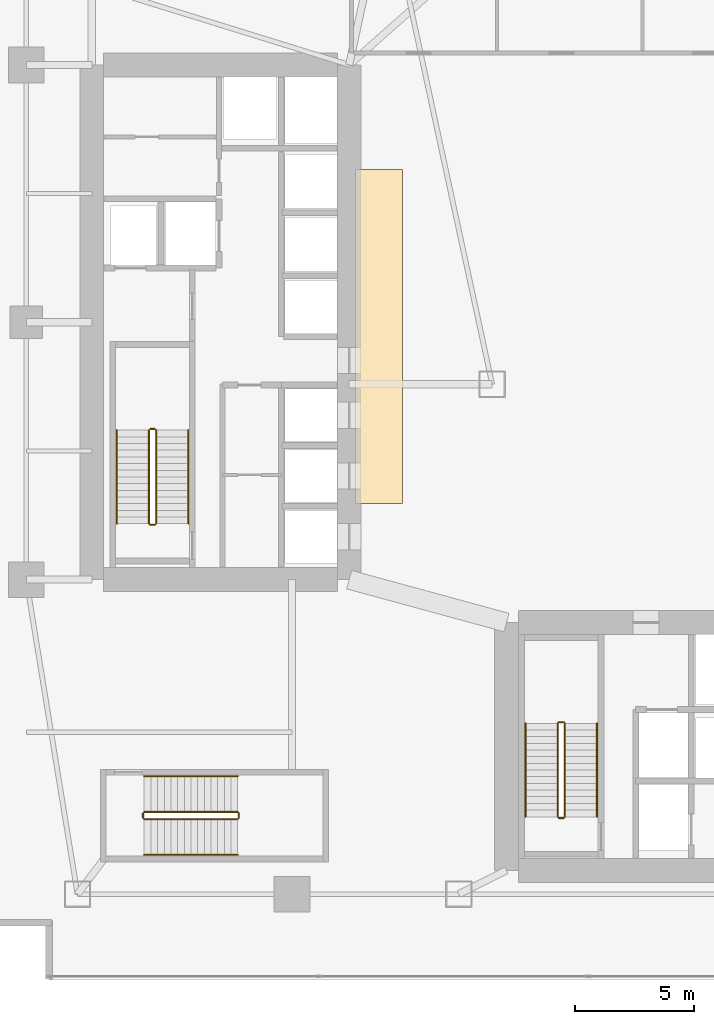
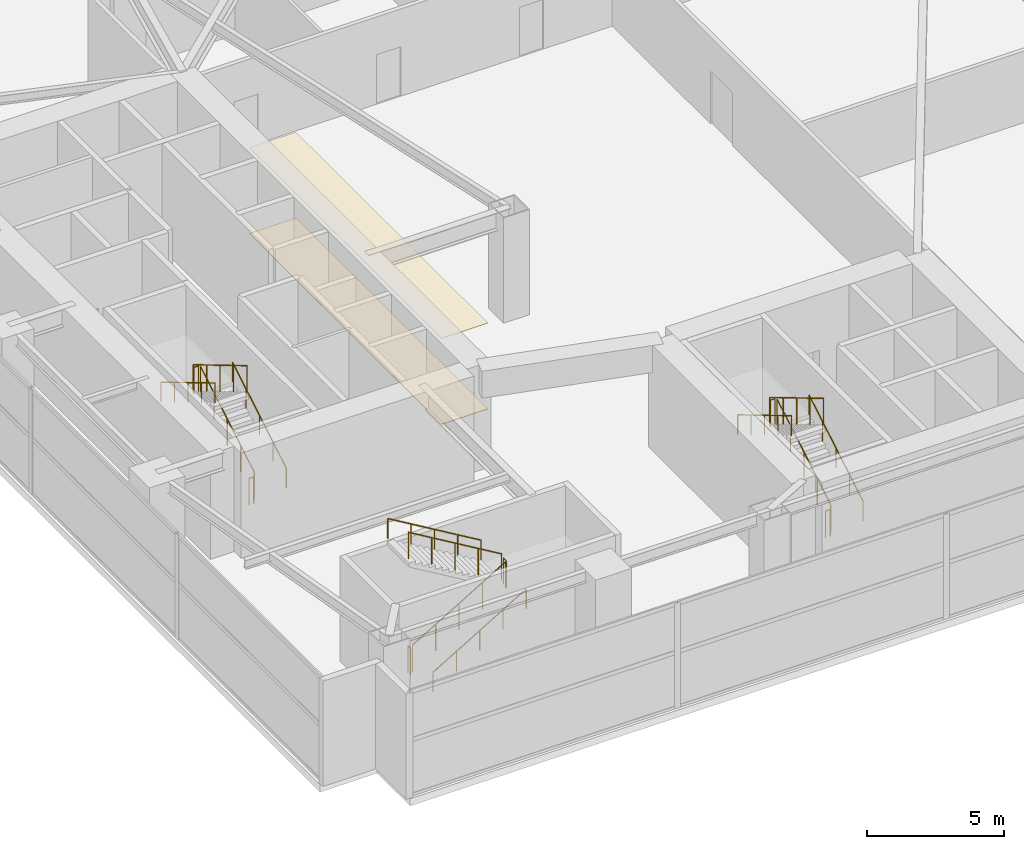
# One storey, part 34 of 35: 18 railings, 2 coverings.
"""IFC4 building model written with IfcOpenShell, lengths in metres."""

from ifc_helpers import new_model, si_unit, direction, frame, origin, origin_2d, place, context, subcontext, project, spatial, rectangle, circle, extrude, material, layer, layer_set, type_object, element, save


model = new_model("IFC4")

# Units and contexts
model_context = context("Model", 3, precision=1e-05, world=origin(), true_north=direction((0.0, 1.0)))
body_context = subcontext(model_context, "Body", "Model", "MODEL_VIEW")
ifc_project = project(units=[si_unit("LENGTHUNIT", "METRE"), si_unit("AREAUNIT", "SQUARE_METRE"), si_unit("VOLUMEUNIT", "CUBIC_METRE"), si_unit("PLANEANGLEUNIT", "RADIAN"), si_unit("MASSUNIT", "GRAM", prefix="KILO")], contexts=[model_context])

# Site, building, storey
site_placement = place(None, origin())
site = spatial("IfcSite", under=ifc_project, at=site_placement, CompositionType="ELEMENT")
building_placement = place(site_placement, origin())
building = spatial("IfcBuilding", under=site, at=building_placement, Name="Calvorn Quay Hotel", CompositionType="ELEMENT")
storey_placement = place(building_placement, frame((0.0, 0.0, 12.0)))
storey = spatial("IfcBuildingStorey", under=building, at=storey_placement, Name="L02", CompositionType="ELEMENT", Elevation=12.0)

# Coverings
ifc_material_1 = material(Name="Anodised Aluminium Acoustic Baffle", Category="aluminium")
ifc_layer_1 = layer(ifc_material_1, 0.02001953125)
ifc_layer_set_1 = layer_set([ifc_layer_1], Name="COV-CEIL-METAL")
covering_type_1 = type_object("IfcCoveringType", Name="COV-CEIL-METAL", PredefinedType="CEILING", material=ifc_layer_set_1)
covering_1_placement = place(storey_placement, frame((16.25, 27.0, 3.820068359375), z_axis=(0.0, 0.0, 1.0), x_axis=(1.0, 0.0, 0.0)))
element("IfcCovering", 1, at=covering_1_placement, inside=storey, type_object=covering_type_1, Name="Acoustic Suspended Ceiling (L02)", PredefinedType="CEILING", context=body_context, shape_type="SweptSolid", body=[
    extrude(rectangle(XDim=1.9599609375, YDim=14.0, at=origin_2d()), origin(), (0.0, 0.0, 1.0), 0.02001953125),
])
ifc_material_2 = material(Name="Honed Granite Stone Flooring", Category="masonry")
ifc_layer_2 = layer(ifc_material_2, 0.02392578125)
ifc_layer_set_2 = layer_set([ifc_layer_2], Name="COV-FLOOR-STONE")
covering_type_2 = type_object("IfcCoveringType", Name="COV-FLOOR-STONE", PredefinedType="FLOORING", material=ifc_layer_set_2)
covering_2_placement = place(storey_placement, frame((16.25, 27.0, 0.0), z_axis=(0.0, 0.0, 1.0), x_axis=(1.0, 0.0, 0.0)))
element("IfcCovering", 2, at=covering_2_placement, inside=storey, type_object=covering_type_2, Name="Interior Floor Finish (L02)", PredefinedType="FLOORING", context=body_context, shape_type="SweptSolid", body=[
    extrude(rectangle(XDim=1.9599609375, YDim=14.0, at=origin_2d()), origin(), (0.0, 0.0, 1.0), 0.02392578125),
])

# Railings
ifc_material_3 = material(Name="Brushed Stainless Steel Handrail", Category="steel")
railing_type_1 = type_object("IfcRailingType", Name="RLG-HANDRAIL-900", PredefinedType="HANDRAIL", material=ifc_material_3)
railing_1_placement = place(storey_placement, frame((8.25, 19.14990234375, 0.166748046875)))
element("IfcRailing", 3, at=railing_1_placement, inside=storey, type_object=railing_type_1, Name="L02 ST-W stair handrail 1", PredefinedType="HANDRAIL", context=body_context, shape_type="SweptSolid", body=[
    extrude(circle(Radius=0.02392578125, at=origin_2d()), frame((0.0, 0.0, 0.8759765625), z_axis=(0.0, 0.859310244771, 0.511454693235), x_axis=(-1.0, 0.0, 0.0)), (0.0, 0.0, 1.0), 4.56201171875),
    extrude(circle(Radius=0.02099609375, at=origin_2d()), origin(), (0.0, 0.0, 1.0), 0.851806640625),
    extrude(circle(Radius=0.02099609375, at=origin_2d()), frame((0.0, 0.97998046875, 0.583251953125)), (0.0, 0.0, 1.0), 0.851806640625),
    extrude(circle(Radius=0.02099609375, at=origin_2d()), frame((0.0, 1.9599609375, 1.16650390625)), (0.0, 0.0, 1.0), 0.851806640625),
    extrude(circle(Radius=0.02099609375, at=origin_2d()), frame((0.0, 2.940185546875, 1.75)), (0.0, 0.0, 1.0), 0.851806640625),
    extrude(circle(Radius=0.02099609375, at=origin_2d()), frame((0.0, 3.920166015625, 2.333251953125)), (0.0, 0.0, 1.0), 0.851806640625),
])
railing_2_placement = place(storey_placement, frame((5.25, 23.070068359375, 2.666748046875)))
element("IfcRailing", 4, at=railing_2_placement, inside=storey, type_object=railing_type_1, Name="L02 ST-W stair handrail 2", PredefinedType="HANDRAIL", context=body_context, shape_type="SweptSolid", body=[
    extrude(circle(Radius=0.02392578125, at=origin_2d()), frame((0.0, 0.0, 0.8759765625), z_axis=(0.0, -0.859310244771, 0.511454693235), x_axis=(1.0, 0.0, 0.0)), (0.0, 0.0, 1.0), 4.56201171875),
    extrude(circle(Radius=0.02099609375, at=origin_2d()), origin(), (0.0, 0.0, 1.0), 0.851806640625),
    extrude(circle(Radius=0.02099609375, at=origin_2d()), frame((0.0, -0.97998046875, 0.583251953125)), (0.0, 0.0, 1.0), 0.851806640625),
    extrude(circle(Radius=0.02099609375, at=origin_2d()), frame((0.0, -1.9599609375, 1.16650390625)), (0.0, 0.0, 1.0), 0.851806640625),
    extrude(circle(Radius=0.02099609375, at=origin_2d()), frame((0.0, -2.940185546875, 1.75)), (0.0, 0.0, 1.0), 0.851806640625),
    extrude(circle(Radius=0.02099609375, at=origin_2d()), frame((0.0, -3.920166015625, 2.333251953125)), (0.0, 0.0, 1.0), 0.851806640625),
])
railing_3_placement = place(storey_placement, frame((25.39990234375, 6.85009765625, 0.166748046875)))
element("IfcRailing", 5, at=railing_3_placement, inside=storey, type_object=railing_type_1, Name="L02 ST-E stair handrail 1", PredefinedType="HANDRAIL", context=body_context, shape_type="SweptSolid", body=[
    extrude(circle(Radius=0.02392578125, at=origin_2d()), frame((0.0, 0.0, 0.8759765625), z_axis=(0.0, 0.859296244711, 0.511478214419), x_axis=(-1.0, 0.0, 0.0)), (0.0, 0.0, 1.0), 4.561767578125),
    extrude(circle(Radius=0.02099609375, at=origin_2d()), origin(), (0.0, 0.0, 1.0), 0.851806640625),
    extrude(circle(Radius=0.02099609375, at=origin_2d()), frame((0.0, 0.97998046875, 0.583251953125)), (0.0, 0.0, 1.0), 0.851806640625),
    extrude(circle(Radius=0.02099609375, at=origin_2d()), frame((0.0, 1.9599609375, 1.16650390625)), (0.0, 0.0, 1.0), 0.851806640625),
    extrude(circle(Radius=0.02099609375, at=origin_2d()), frame((0.0, 2.93994140625, 1.75)), (0.0, 0.0, 1.0), 0.851806640625),
    extrude(circle(Radius=0.02099609375, at=origin_2d()), frame((0.0, 3.919921875, 2.333251953125)), (0.0, 0.0, 1.0), 0.851806640625),
])
railing_4_placement = place(storey_placement, frame((22.39990234375, 10.77001953125, 2.666748046875)))
element("IfcRailing", 6, at=railing_4_placement, inside=storey, type_object=railing_type_1, Name="L02 ST-E stair handrail 2", PredefinedType="HANDRAIL", context=body_context, shape_type="SweptSolid", body=[
    extrude(circle(Radius=0.02392578125, at=origin_2d()), frame((0.0, 0.0, 0.8759765625), z_axis=(0.0, -0.859296244711, 0.511478214419), x_axis=(1.0, 0.0, 0.0)), (0.0, 0.0, 1.0), 4.561767578125),
    extrude(circle(Radius=0.02099609375, at=origin_2d()), origin(), (0.0, 0.0, 1.0), 0.851806640625),
    extrude(circle(Radius=0.02099609375, at=origin_2d()), frame((0.0, -0.97998046875, 0.583251953125)), (0.0, 0.0, 1.0), 0.851806640625),
    extrude(circle(Radius=0.02099609375, at=origin_2d()), frame((0.0, -1.9599609375, 1.16650390625)), (0.0, 0.0, 1.0), 0.851806640625),
    extrude(circle(Radius=0.02099609375, at=origin_2d()), frame((0.0, -2.93994140625, 1.75)), (0.0, 0.0, 1.0), 0.851806640625),
    extrude(circle(Radius=0.02099609375, at=origin_2d()), frame((0.0, -3.919921875, 2.333251953125)), (0.0, 0.0, 1.0), 0.851806640625),
])
railing_5_placement = place(storey_placement, frame((6.39990234375, 5.25, 0.166748046875)))
element("IfcRailing", 7, at=railing_5_placement, inside=storey, type_object=railing_type_1, Name="L02 ST-P2 stair handrail 1", PredefinedType="HANDRAIL", context=body_context, shape_type="SweptSolid", body=[
    extrude(circle(Radius=0.02392578125, at=origin_2d()), frame((0.0, 0.0, 0.8759765625), z_axis=(0.859310244771, 0.0, 0.511454693235), x_axis=(0.0, 1.0, 0.0)), (0.0, 0.0, 1.0), 4.56201171875),
    extrude(circle(Radius=0.02099609375, at=origin_2d()), origin(), (0.0, 0.0, 1.0), 0.851806640625),
    extrude(circle(Radius=0.02099609375, at=origin_2d()), frame((0.97998046875, 0.0, 0.583251953125)), (0.0, 0.0, 1.0), 0.851806640625),
    extrude(circle(Radius=0.02099609375, at=origin_2d()), frame((1.9599609375, 0.0, 1.16650390625)), (0.0, 0.0, 1.0), 0.851806640625),
    extrude(circle(Radius=0.02099609375, at=origin_2d()), frame((2.940185546875, 0.0, 1.75)), (0.0, 0.0, 1.0), 0.851806640625),
    extrude(circle(Radius=0.02099609375, at=origin_2d()), frame((3.920166015625, 0.0, 2.333251953125)), (0.0, 0.0, 1.0), 0.851806640625),
])
railing_6_placement = place(storey_placement, frame((10.320068359375, 8.550048828125, 2.666748046875)))
element("IfcRailing", 8, at=railing_6_placement, inside=storey, type_object=railing_type_1, Name="L02 ST-P2 stair handrail 2", PredefinedType="HANDRAIL", context=body_context, shape_type="SweptSolid", body=[
    extrude(circle(Radius=0.02392578125, at=origin_2d()), frame((0.0, 0.0, 0.8759765625), z_axis=(-0.859310244771, 0.0, 0.511454693235), x_axis=(0.0, -1.0, 0.0)), (0.0, 0.0, 1.0), 4.56201171875),
    extrude(circle(Radius=0.02099609375, at=origin_2d()), origin(), (0.0, 0.0, 1.0), 0.851806640625),
    extrude(circle(Radius=0.02099609375, at=origin_2d()), frame((-0.97998046875, 0.0, 0.583251953125)), (0.0, 0.0, 1.0), 0.851806640625),
    extrude(circle(Radius=0.02099609375, at=origin_2d()), frame((-1.9599609375, 0.0, 1.16650390625)), (0.0, 0.0, 1.0), 0.851806640625),
    extrude(circle(Radius=0.02099609375, at=origin_2d()), frame((-2.940185546875, 0.0, 1.75)), (0.0, 0.0, 1.0), 0.851806640625),
    extrude(circle(Radius=0.02099609375, at=origin_2d()), frame((-3.920166015625, 0.0, 2.333251953125)), (0.0, 0.0, 1.0), 0.851806640625),
])
ifc_material_4 = material(Name="Painted Galvanised Steel Balustrade", Category="steel")
railing_type_2 = type_object("IfcRailingType", Name="RLG-STAIR-GUARD-1120", PredefinedType="GUARDRAIL", material=ifc_material_4)
railing_7_placement = place(storey_placement, frame((6.89990234375, 19.14990234375, 0.166748046875)))
element("IfcRailing", 9, at=railing_7_placement, inside=storey, type_object=railing_type_2, Name="L02 ST-W stair guard 1", PredefinedType="GUARDRAIL", context=body_context, shape_type="SweptSolid", body=[
    extrude(circle(Radius=0.02392578125, at=origin_2d()), frame((0.0, 0.0, 1.17578125), z_axis=(0.0, 0.859310244771, 0.511454693235), x_axis=(-1.0, 0.0, 0.0)), (0.0, 0.0, 1.0), 4.56201171875),
    extrude(circle(Radius=0.02099609375, at=origin_2d()), origin(), (0.0, 0.0, 1.0), 1.15185546875),
    extrude(circle(Radius=0.02099609375, at=origin_2d()), frame((0.0, 0.97998046875, 0.583251953125)), (0.0, 0.0, 1.0), 1.15185546875),
    extrude(circle(Radius=0.02099609375, at=origin_2d()), frame((0.0, 1.9599609375, 1.16650390625)), (0.0, 0.0, 1.0), 1.15185546875),
    extrude(circle(Radius=0.02099609375, at=origin_2d()), frame((0.0, 2.940185546875, 1.75)), (0.0, 0.0, 1.0), 1.15185546875),
    extrude(circle(Radius=0.02099609375, at=origin_2d()), frame((0.0, 3.920166015625, 2.333251953125)), (0.0, 0.0, 1.0), 1.15185546875),
])
railing_8_placement = place(storey_placement, frame((6.85009765625, 23.1201171875, 2.5)))
element("IfcRailing", 10, at=railing_8_placement, inside=storey, type_object=railing_type_2, Name="L02 ST-W stair guard 2", PredefinedType="GUARDRAIL", context=body_context, shape_type="SweptSolid", body=[
    extrude(circle(Radius=0.02392578125, at=origin_2d()), frame((0.0, 0.0, 1.17578125), z_axis=(-1.0, 0.0, 0.0), x_axis=(0.0, -1.0, 0.0)), (0.0, 0.0, 1.0), 0.2001953125),
    extrude(circle(Radius=0.02099609375, at=origin_2d()), origin(), (0.0, 0.0, 1.0), 1.15185546875),
    extrude(circle(Radius=0.02099609375, at=origin_2d()), frame((-0.2001953125, 0.0, 0.0)), (0.0, 0.0, 1.0), 1.15185546875),
])
railing_9_placement = place(storey_placement, frame((6.60009765625, 23.070068359375, 2.666748046875)))
element("IfcRailing", 11, at=railing_9_placement, inside=storey, type_object=railing_type_2, Name="L02 ST-W stair guard 3", PredefinedType="GUARDRAIL", context=body_context, shape_type="SweptSolid", body=[
    extrude(circle(Radius=0.02392578125, at=origin_2d()), frame((0.0, 0.0, 1.17578125), z_axis=(0.0, -0.859310244771, 0.511454693235), x_axis=(1.0, 0.0, 0.0)), (0.0, 0.0, 1.0), 4.56201171875),
    extrude(circle(Radius=0.02099609375, at=origin_2d()), origin(), (0.0, 0.0, 1.0), 1.15185546875),
    extrude(circle(Radius=0.02099609375, at=origin_2d()), frame((0.0, -0.97998046875, 0.583251953125)), (0.0, 0.0, 1.0), 1.15185546875),
    extrude(circle(Radius=0.02099609375, at=origin_2d()), frame((0.0, -1.9599609375, 1.16650390625)), (0.0, 0.0, 1.0), 1.15185546875),
    extrude(circle(Radius=0.02099609375, at=origin_2d()), frame((0.0, -2.940185546875, 1.75)), (0.0, 0.0, 1.0), 1.15185546875),
    extrude(circle(Radius=0.02099609375, at=origin_2d()), frame((0.0, -3.920166015625, 2.333251953125)), (0.0, 0.0, 1.0), 1.15185546875),
])
railing_10_placement = place(storey_placement, frame((6.85009765625, 19.10009765625, 0.0)))
element("IfcRailing", 12, at=railing_10_placement, inside=storey, type_object=railing_type_2, Name="L02 ST-W stair guard 4", PredefinedType="GUARDRAIL", context=body_context, shape_type="SweptSolid", body=[
    extrude(circle(Radius=0.02392578125, at=origin_2d()), frame((0.0, 0.0, 1.17578125), z_axis=(-1.0, 0.0, 0.0), x_axis=(0.0, -1.0, 0.0)), (0.0, 0.0, 1.0), 0.2001953125),
    extrude(circle(Radius=0.02099609375, at=origin_2d()), origin(), (0.0, 0.0, 1.0), 1.15185546875),
    extrude(circle(Radius=0.02099609375, at=origin_2d()), frame((-0.2001953125, 0.0, 0.0)), (0.0, 0.0, 1.0), 1.15185546875),
])
railing_11_placement = place(storey_placement, frame((24.050048828125, 6.85009765625, 0.166748046875)))
element("IfcRailing", 13, at=railing_11_placement, inside=storey, type_object=railing_type_2, Name="L02 ST-E stair guard 1", PredefinedType="GUARDRAIL", context=body_context, shape_type="SweptSolid", body=[
    extrude(circle(Radius=0.02392578125, at=origin_2d()), frame((0.0, 0.0, 1.17578125), z_axis=(0.0, 0.859296244711, 0.511478214419), x_axis=(-1.0, 0.0, 0.0)), (0.0, 0.0, 1.0), 4.561767578125),
    extrude(circle(Radius=0.02099609375, at=origin_2d()), origin(), (0.0, 0.0, 1.0), 1.15185546875),
    extrude(circle(Radius=0.02099609375, at=origin_2d()), frame((0.0, 0.97998046875, 0.583251953125)), (0.0, 0.0, 1.0), 1.15185546875),
    extrude(circle(Radius=0.02099609375, at=origin_2d()), frame((0.0, 1.9599609375, 1.16650390625)), (0.0, 0.0, 1.0), 1.15185546875),
    extrude(circle(Radius=0.02099609375, at=origin_2d()), frame((0.0, 2.93994140625, 1.75)), (0.0, 0.0, 1.0), 1.15185546875),
    extrude(circle(Radius=0.02099609375, at=origin_2d()), frame((0.0, 3.919921875, 2.333251953125)), (0.0, 0.0, 1.0), 1.15185546875),
])
railing_12_placement = place(storey_placement, frame((24.0, 10.820068359375, 2.5)))
element("IfcRailing", 14, at=railing_12_placement, inside=storey, type_object=railing_type_2, Name="L02 ST-E stair guard 2", PredefinedType="GUARDRAIL", context=body_context, shape_type="SweptSolid", body=[
    extrude(circle(Radius=0.02392578125, at=origin_2d()), frame((0.0, 0.0, 1.17578125), z_axis=(-1.0, 0.0, 0.0), x_axis=(0.0, -1.0, 0.0)), (0.0, 0.0, 1.0), 0.199951171875),
    extrude(circle(Radius=0.02099609375, at=origin_2d()), origin(), (0.0, 0.0, 1.0), 1.15185546875),
    extrude(circle(Radius=0.02099609375, at=origin_2d()), frame((-0.199951171875, 0.0, 0.0)), (0.0, 0.0, 1.0), 1.15185546875),
])
railing_13_placement = place(storey_placement, frame((23.75, 10.77001953125, 2.666748046875)))
element("IfcRailing", 15, at=railing_13_placement, inside=storey, type_object=railing_type_2, Name="L02 ST-E stair guard 3", PredefinedType="GUARDRAIL", context=body_context, shape_type="SweptSolid", body=[
    extrude(circle(Radius=0.02392578125, at=origin_2d()), frame((0.0, 0.0, 1.17578125), z_axis=(0.0, -0.859296244711, 0.511478214419), x_axis=(1.0, 0.0, 0.0)), (0.0, 0.0, 1.0), 4.561767578125),
    extrude(circle(Radius=0.02099609375, at=origin_2d()), origin(), (0.0, 0.0, 1.0), 1.15185546875),
    extrude(circle(Radius=0.02099609375, at=origin_2d()), frame((0.0, -0.97998046875, 0.583251953125)), (0.0, 0.0, 1.0), 1.15185546875),
    extrude(circle(Radius=0.02099609375, at=origin_2d()), frame((0.0, -1.9599609375, 1.16650390625)), (0.0, 0.0, 1.0), 1.15185546875),
    extrude(circle(Radius=0.02099609375, at=origin_2d()), frame((0.0, -2.93994140625, 1.75)), (0.0, 0.0, 1.0), 1.15185546875),
    extrude(circle(Radius=0.02099609375, at=origin_2d()), frame((0.0, -3.919921875, 2.333251953125)), (0.0, 0.0, 1.0), 1.15185546875),
])
railing_14_placement = place(storey_placement, frame((24.0, 6.800048828125, 0.0)))
element("IfcRailing", 16, at=railing_14_placement, inside=storey, type_object=railing_type_2, Name="L02 ST-E stair guard 4", PredefinedType="GUARDRAIL", context=body_context, shape_type="SweptSolid", body=[
    extrude(circle(Radius=0.02392578125, at=origin_2d()), frame((0.0, 0.0, 1.17578125), z_axis=(-1.0, 0.0, 0.0), x_axis=(0.0, -1.0, 0.0)), (0.0, 0.0, 1.0), 0.199951171875),
    extrude(circle(Radius=0.02099609375, at=origin_2d()), origin(), (0.0, 0.0, 1.0), 1.15185546875),
    extrude(circle(Radius=0.02099609375, at=origin_2d()), frame((-0.199951171875, 0.0, 0.0)), (0.0, 0.0, 1.0), 1.15185546875),
])
railing_15_placement = place(storey_placement, frame((6.39990234375, 6.75, 0.166748046875)))
element("IfcRailing", 17, at=railing_15_placement, inside=storey, type_object=railing_type_2, Name="L02 ST-P2 stair guard 1", PredefinedType="GUARDRAIL", context=body_context, shape_type="SweptSolid", body=[
    extrude(circle(Radius=0.02392578125, at=origin_2d()), frame((0.0, 0.0, 1.17578125), z_axis=(0.859310244771, 0.0, 0.511454693235), x_axis=(0.0, 1.0, 0.0)), (0.0, 0.0, 1.0), 4.56201171875),
    extrude(circle(Radius=0.02099609375, at=origin_2d()), origin(), (0.0, 0.0, 1.0), 1.15185546875),
    extrude(circle(Radius=0.02099609375, at=origin_2d()), frame((0.97998046875, 0.0, 0.583251953125)), (0.0, 0.0, 1.0), 1.15185546875),
    extrude(circle(Radius=0.02099609375, at=origin_2d()), frame((1.9599609375, 0.0, 1.16650390625)), (0.0, 0.0, 1.0), 1.15185546875),
    extrude(circle(Radius=0.02099609375, at=origin_2d()), frame((2.940185546875, 0.0, 1.75)), (0.0, 0.0, 1.0), 1.15185546875),
    extrude(circle(Radius=0.02099609375, at=origin_2d()), frame((3.920166015625, 0.0, 2.333251953125)), (0.0, 0.0, 1.0), 1.15185546875),
])
railing_16_placement = place(storey_placement, frame((10.3701171875, 6.800048828125, 2.5)))
element("IfcRailing", 18, at=railing_16_placement, inside=storey, type_object=railing_type_2, Name="L02 ST-P2 stair guard 2", PredefinedType="GUARDRAIL", context=body_context, shape_type="SweptSolid", body=[
    extrude(circle(Radius=0.02392578125, at=origin_2d()), frame((0.0, 0.0, 1.17578125), z_axis=(0.0, 1.0, 0.0), x_axis=(-1.0, 0.0, 0.0)), (0.0, 0.0, 1.0), 0.199951171875),
    extrude(circle(Radius=0.02099609375, at=origin_2d()), origin(), (0.0, 0.0, 1.0), 1.15185546875),
    extrude(circle(Radius=0.02099609375, at=origin_2d()), frame((0.0, 0.199951171875, 0.0)), (0.0, 0.0, 1.0), 1.15185546875),
])
railing_17_placement = place(storey_placement, frame((10.320068359375, 7.050048828125, 2.666748046875)))
element("IfcRailing", 19, at=railing_17_placement, inside=storey, type_object=railing_type_2, Name="L02 ST-P2 stair guard 3", PredefinedType="GUARDRAIL", context=body_context, shape_type="SweptSolid", body=[
    extrude(circle(Radius=0.02392578125, at=origin_2d()), frame((0.0, 0.0, 1.17578125), z_axis=(-0.859310244771, 0.0, 0.511454693235), x_axis=(0.0, -1.0, 0.0)), (0.0, 0.0, 1.0), 4.56201171875),
    extrude(circle(Radius=0.02099609375, at=origin_2d()), origin(), (0.0, 0.0, 1.0), 1.15185546875),
    extrude(circle(Radius=0.02099609375, at=origin_2d()), frame((-0.97998046875, 0.0, 0.583251953125)), (0.0, 0.0, 1.0), 1.15185546875),
    extrude(circle(Radius=0.02099609375, at=origin_2d()), frame((-1.9599609375, 0.0, 1.16650390625)), (0.0, 0.0, 1.0), 1.15185546875),
    extrude(circle(Radius=0.02099609375, at=origin_2d()), frame((-2.940185546875, 0.0, 1.75)), (0.0, 0.0, 1.0), 1.15185546875),
    extrude(circle(Radius=0.02099609375, at=origin_2d()), frame((-3.920166015625, 0.0, 2.333251953125)), (0.0, 0.0, 1.0), 1.15185546875),
])
railing_18_placement = place(storey_placement, frame((6.35009765625, 6.800048828125, 0.0)))
element("IfcRailing", 20, at=railing_18_placement, inside=storey, type_object=railing_type_2, Name="L02 ST-P2 stair guard 4", PredefinedType="GUARDRAIL", context=body_context, shape_type="SweptSolid", body=[
    extrude(circle(Radius=0.02392578125, at=origin_2d()), frame((0.0, 0.0, 1.17578125), z_axis=(0.0, 1.0, 0.0), x_axis=(-1.0, 0.0, 0.0)), (0.0, 0.0, 1.0), 0.199951171875),
    extrude(circle(Radius=0.02099609375, at=origin_2d()), origin(), (0.0, 0.0, 1.0), 1.15185546875),
    extrude(circle(Radius=0.02099609375, at=origin_2d()), frame((0.0, 0.199951171875, 0.0)), (0.0, 0.0, 1.0), 1.15185546875),
])

save(model, "model.ifc")
